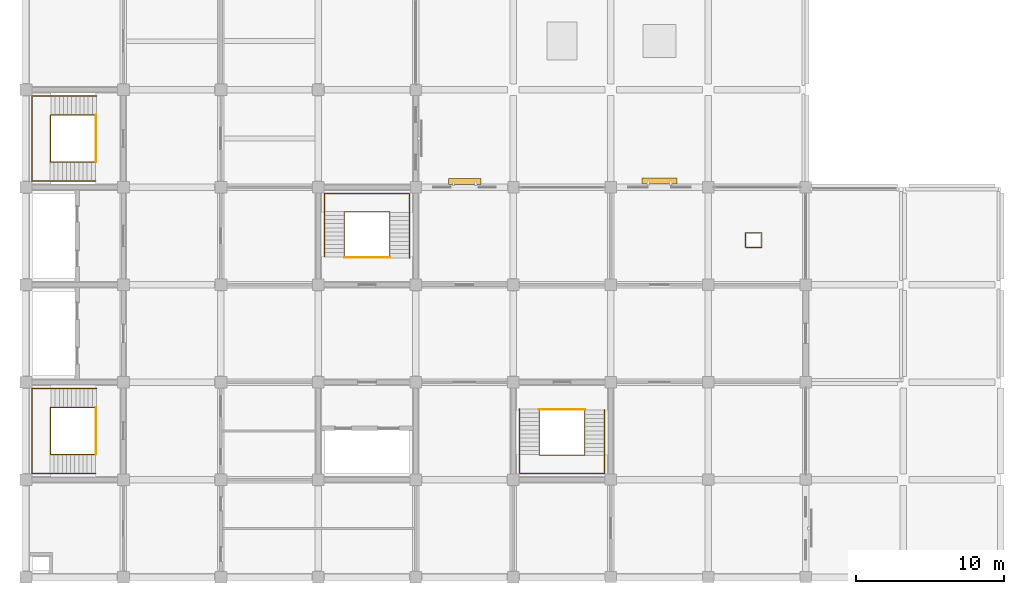
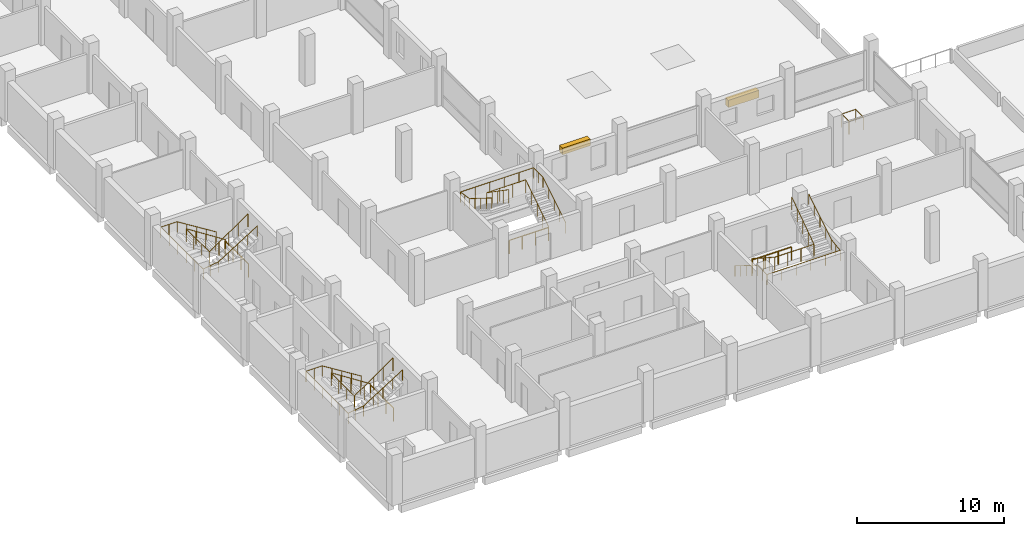
# One storey, part 22 of 23: 13 railings, 2 shading devices.
"""IFC4 building model written with IfcOpenShell, lengths in metres."""

from ifc_helpers import new_model, si_unit, direction, frame, origin, origin_2d, place, context, subcontext, project, spatial, rectangle, circle, extrude, material, type_object, element, save


model = new_model("IFC4")

# Units and contexts
model_context = context("Model", 3, precision=1e-05, world=origin(), true_north=direction((0.0, 1.0)))
body_context = subcontext(model_context, "Body", "Model", "MODEL_VIEW")
ifc_project = project(units=[si_unit("LENGTHUNIT", "METRE"), si_unit("AREAUNIT", "SQUARE_METRE"), si_unit("VOLUMEUNIT", "CUBIC_METRE"), si_unit("PLANEANGLEUNIT", "RADIAN"), si_unit("MASSUNIT", "GRAM", prefix="KILO")], contexts=[model_context])

# Site, building, storey
site_placement = place(None, origin())
site = spatial("IfcSite", under=ifc_project, at=site_placement, CompositionType="ELEMENT")
building_placement = place(site_placement, origin())
building = spatial("IfcBuilding", under=site, at=building_placement, Name="Rusizi Kubbe Research Institute", CompositionType="ELEMENT")
storey_placement = place(building_placement, frame((0.0, 0.0, 18.60009765625)))
storey = spatial("IfcBuildingStorey", under=building, at=storey_placement, Name="L04", CompositionType="ELEMENT", Elevation=18.60009765625)

# Railings
ifc_material_1 = material(Name="Painted Steel Stair Guard", Category="steel")
railing_type_1 = type_object("IfcRailingType", Name="GR-STAIR", PredefinedType="GUARDRAIL", material=ifc_material_1)
railing_1_placement = place(storey_placement, frame((4.780029296875, 11.489990234375, 0.08740234375)))
element("IfcRailing", 1, at=railing_1_placement, inside=storey, type_object=railing_type_1, Name="Stair Inner Well Guard ST1 L04", PredefinedType="GUARDRAIL", context=body_context, shape_type="SweptSolid", body=[
    extrude(circle(Radius=0.02392578125, at=origin_2d()), frame((0.0, 0.0, 1.09619140625), z_axis=(-0.840361383606, 0.0, 0.542026516828), x_axis=(0.0, -1.0, 0.0)), (0.0, 0.0, 1.0), 3.712890625),
    extrude(circle(Radius=0.02392578125, at=origin_2d()), frame((-3.1201171875, 0.0, 3.1083984375), z_axis=(0.0, -1.0, 0.0), x_axis=(1.0, 0.0, 0.0)), (0.0, 0.0, 1.0), 3.179931640625),
    extrude(circle(Radius=0.02392578125, at=origin_2d()), frame((-3.1201171875, -3.179931640625, 3.1083984375), z_axis=(0.82276741766, 0.0, 0.568378198419), x_axis=(0.0, 1.0, 0.0)), (0.0, 0.0, 1.0), 3.69482421875),
    extrude(circle(Radius=0.02099609375, at=origin_2d()), origin(), (0.0, 0.0, 1.0), 1.072021484375),
    extrude(circle(Radius=0.02099609375, at=origin_2d()), frame((-0.780029296875, 0.0, 0.503173828125)), (0.0, 0.0, 1.0), 1.072021484375),
    extrude(circle(Radius=0.02099609375, at=origin_2d()), frame((-1.56005859375, 0.0, 1.00634765625)), (0.0, 0.0, 1.0), 1.072021484375),
    extrude(circle(Radius=0.02099609375, at=origin_2d()), frame((-2.340087890625, 0.0, 1.50927734375)), (0.0, 0.0, 1.0), 1.072021484375),
    extrude(circle(Radius=0.02099609375, at=origin_2d()), frame((-3.1201171875, 0.0, 2.012451171875)), (0.0, 0.0, 1.0), 1.072021484375),
    extrude(circle(Radius=0.02099609375, at=origin_2d()), frame((-3.1201171875, -1.06005859375, 2.012451171875)), (0.0, 0.0, 1.0), 1.072021484375),
    extrude(circle(Radius=0.02099609375, at=origin_2d()), frame((-3.1201171875, -2.119873046875, 2.012451171875)), (0.0, 0.0, 1.0), 1.072021484375),
    extrude(circle(Radius=0.02099609375, at=origin_2d()), frame((-3.1201171875, -3.179931640625, 2.012451171875)), (0.0, 0.0, 1.0), 1.072021484375),
    extrude(circle(Radius=0.02099609375, at=origin_2d()), frame((-2.360107421875, -3.179931640625, 2.53759765625)), (0.0, 0.0, 1.0), 1.072021484375),
    extrude(circle(Radius=0.02099609375, at=origin_2d()), frame((-1.60009765625, -3.179931640625, 3.0625)), (0.0, 0.0, 1.0), 1.072021484375),
    extrude(circle(Radius=0.02099609375, at=origin_2d()), frame((-0.840087890625, -3.179931640625, 3.58740234375)), (0.0, 0.0, 1.0), 1.072021484375),
    extrude(circle(Radius=0.02099609375, at=origin_2d()), frame((-0.080078125, -3.179931640625, 4.112548828125)), (0.0, 0.0, 1.0), 1.072021484375),
])
railing_2_placement = place(storey_placement, frame((4.75, 11.489990234375, 0.0)))
element("IfcRailing", 2, at=railing_2_placement, inside=storey, type_object=railing_type_1, Name="Stair Floor Edge Guard ST1 L04", PredefinedType="GUARDRAIL", context=body_context, shape_type="SweptSolid", body=[
    extrude(circle(Radius=0.02392578125, at=origin_2d()), frame((0.0, 0.0, 1.09619140625), z_axis=(0.0, -1.0, 0.0), x_axis=(1.0, 0.0, 0.0)), (0.0, 0.0, 1.0), 3.179931640625),
    extrude(circle(Radius=0.02099609375, at=origin_2d()), origin(), (0.0, 0.0, 1.0), 1.072021484375),
    extrude(circle(Radius=0.02099609375, at=origin_2d()), frame((0.0, -1.06005859375, 0.0)), (0.0, 0.0, 1.0), 1.072021484375),
    extrude(circle(Radius=0.02099609375, at=origin_2d()), frame((0.0, -2.119873046875, 0.0)), (0.0, 0.0, 1.0), 1.072021484375),
    extrude(circle(Radius=0.02099609375, at=origin_2d()), frame((0.0, -3.179931640625, 0.0)), (0.0, 0.0, 1.0), 1.072021484375),
])
railing_3_placement = place(storey_placement, frame((4.780029296875, 31.2900390625, 0.08740234375)))
element("IfcRailing", 3, at=railing_3_placement, inside=storey, type_object=railing_type_1, Name="Stair Inner Well Guard ST2 L04", PredefinedType="GUARDRAIL", context=body_context, shape_type="SweptSolid", body=[
    extrude(circle(Radius=0.02392578125, at=origin_2d()), frame((0.0, 0.0, 1.09619140625), z_axis=(-0.840361383606, 0.0, 0.542026516828), x_axis=(0.0, -1.0, 0.0)), (0.0, 0.0, 1.0), 3.712890625),
    extrude(circle(Radius=0.02392578125, at=origin_2d()), frame((-3.1201171875, 0.0, 3.1083984375), z_axis=(0.0, -1.0, 0.0), x_axis=(1.0, 0.0, 0.0)), (0.0, 0.0, 1.0), 3.179931640625),
    extrude(circle(Radius=0.02392578125, at=origin_2d()), frame((-3.1201171875, -3.179931640625, 3.1083984375), z_axis=(0.82276741766, 0.0, 0.568378198419), x_axis=(0.0, 1.0, 0.0)), (0.0, 0.0, 1.0), 3.69482421875),
    extrude(circle(Radius=0.02099609375, at=origin_2d()), origin(), (0.0, 0.0, 1.0), 1.072021484375),
    extrude(circle(Radius=0.02099609375, at=origin_2d()), frame((-0.780029296875, 0.0, 0.503173828125)), (0.0, 0.0, 1.0), 1.072021484375),
    extrude(circle(Radius=0.02099609375, at=origin_2d()), frame((-1.56005859375, 0.0, 1.00634765625)), (0.0, 0.0, 1.0), 1.072021484375),
    extrude(circle(Radius=0.02099609375, at=origin_2d()), frame((-2.340087890625, 0.0, 1.50927734375)), (0.0, 0.0, 1.0), 1.072021484375),
    extrude(circle(Radius=0.02099609375, at=origin_2d()), frame((-3.1201171875, 0.0, 2.012451171875)), (0.0, 0.0, 1.0), 1.072021484375),
    extrude(circle(Radius=0.02099609375, at=origin_2d()), frame((-3.1201171875, -1.06005859375, 2.012451171875)), (0.0, 0.0, 1.0), 1.072021484375),
    extrude(circle(Radius=0.02099609375, at=origin_2d()), frame((-3.1201171875, -2.119873046875, 2.012451171875)), (0.0, 0.0, 1.0), 1.072021484375),
    extrude(circle(Radius=0.02099609375, at=origin_2d()), frame((-3.1201171875, -3.179931640625, 2.012451171875)), (0.0, 0.0, 1.0), 1.072021484375),
    extrude(circle(Radius=0.02099609375, at=origin_2d()), frame((-2.360107421875, -3.179931640625, 2.53759765625)), (0.0, 0.0, 1.0), 1.072021484375),
    extrude(circle(Radius=0.02099609375, at=origin_2d()), frame((-1.60009765625, -3.179931640625, 3.0625)), (0.0, 0.0, 1.0), 1.072021484375),
    extrude(circle(Radius=0.02099609375, at=origin_2d()), frame((-0.840087890625, -3.179931640625, 3.58740234375)), (0.0, 0.0, 1.0), 1.072021484375),
    extrude(circle(Radius=0.02099609375, at=origin_2d()), frame((-0.080078125, -3.179931640625, 4.112548828125)), (0.0, 0.0, 1.0), 1.072021484375),
])
railing_4_placement = place(storey_placement, frame((4.75, 31.2900390625, 0.0)))
element("IfcRailing", 4, at=railing_4_placement, inside=storey, type_object=railing_type_1, Name="Stair Floor Edge Guard ST2 L04", PredefinedType="GUARDRAIL", context=body_context, shape_type="SweptSolid", body=[
    extrude(circle(Radius=0.02392578125, at=origin_2d()), frame((0.0, 0.0, 1.09619140625), z_axis=(0.0, -1.0, 0.0), x_axis=(1.0, 0.0, 0.0)), (0.0, 0.0, 1.0), 3.179931640625),
    extrude(circle(Radius=0.02099609375, at=origin_2d()), origin(), (0.0, 0.0, 1.0), 1.072021484375),
    extrude(circle(Radius=0.02099609375, at=origin_2d()), frame((0.0, -1.06005859375, 0.0)), (0.0, 0.0, 1.0), 1.072021484375),
    extrude(circle(Radius=0.02099609375, at=origin_2d()), frame((0.0, -2.119873046875, 0.0)), (0.0, 0.0, 1.0), 1.072021484375),
    extrude(circle(Radius=0.02099609375, at=origin_2d()), frame((0.0, -3.179931640625, 0.0)), (0.0, 0.0, 1.0), 1.072021484375),
])
railing_5_placement = place(storey_placement, frame((24.639892578125, 21.6201171875, 0.08740234375)))
element("IfcRailing", 5, at=railing_5_placement, inside=storey, type_object=railing_type_1, Name="Stair Inner Well Guard ST3 L04", PredefinedType="GUARDRAIL", context=body_context, shape_type="SweptSolid", body=[
    extrude(circle(Radius=0.02392578125, at=origin_2d()), frame((0.0, 0.0, 1.09619140625), z_axis=(0.0, 0.840342063375, 0.542056469865), x_axis=(-1.0, 0.0, 0.0)), (0.0, 0.0, 1.0), 3.712646484375),
    extrude(circle(Radius=0.02392578125, at=origin_2d()), frame((0.0, 3.119873046875, 3.1083984375), z_axis=(-1.0, 0.0, 0.0), x_axis=(0.0, -1.0, 0.0)), (0.0, 0.0, 1.0), 3.079833984375),
    extrude(circle(Radius=0.02392578125, at=origin_2d()), frame((-3.079833984375, 3.119873046875, 3.1083984375), z_axis=(0.0, -0.82276741766, 0.568378198419), x_axis=(1.0, 0.0, 0.0)), (0.0, 0.0, 1.0), 3.69482421875),
    extrude(circle(Radius=0.02099609375, at=origin_2d()), origin(), (0.0, 0.0, 1.0), 1.072021484375),
    extrude(circle(Radius=0.02099609375, at=origin_2d()), frame((0.0, 0.780029296875, 0.503173828125)), (0.0, 0.0, 1.0), 1.072021484375),
    extrude(circle(Radius=0.02099609375, at=origin_2d()), frame((0.0, 1.56005859375, 1.00634765625)), (0.0, 0.0, 1.0), 1.072021484375),
    extrude(circle(Radius=0.02099609375, at=origin_2d()), frame((0.0, 2.33984375, 1.50927734375)), (0.0, 0.0, 1.0), 1.072021484375),
    extrude(circle(Radius=0.02099609375, at=origin_2d()), frame((0.0, 3.119873046875, 2.012451171875)), (0.0, 0.0, 1.0), 1.072021484375),
    extrude(circle(Radius=0.02099609375, at=origin_2d()), frame((-1.026611328125, 3.119873046875, 2.012451171875)), (0.0, 0.0, 1.0), 1.072021484375),
    extrude(circle(Radius=0.02099609375, at=origin_2d()), frame((-2.05322265625, 3.119873046875, 2.012451171875)), (0.0, 0.0, 1.0), 1.072021484375),
    extrude(circle(Radius=0.02099609375, at=origin_2d()), frame((-3.079833984375, 3.119873046875, 2.012451171875)), (0.0, 0.0, 1.0), 1.072021484375),
    extrude(circle(Radius=0.02099609375, at=origin_2d()), frame((-3.079833984375, 2.35986328125, 2.53759765625)), (0.0, 0.0, 1.0), 1.072021484375),
    extrude(circle(Radius=0.02099609375, at=origin_2d()), frame((-3.079833984375, 1.599853515625, 3.0625)), (0.0, 0.0, 1.0), 1.072021484375),
    extrude(circle(Radius=0.02099609375, at=origin_2d()), frame((-3.079833984375, 0.83984375, 3.58740234375)), (0.0, 0.0, 1.0), 1.072021484375),
    extrude(circle(Radius=0.02099609375, at=origin_2d()), frame((-3.079833984375, 0.079833984375, 4.112548828125)), (0.0, 0.0, 1.0), 1.072021484375),
])
railing_6_placement = place(storey_placement, frame((24.639892578125, 21.64990234375, 0.0)))
element("IfcRailing", 6, at=railing_6_placement, inside=storey, type_object=railing_type_1, Name="Stair Floor Edge Guard ST3 L04", PredefinedType="GUARDRAIL", context=body_context, shape_type="SweptSolid", body=[
    extrude(circle(Radius=0.02392578125, at=origin_2d()), frame((0.0, 0.0, 1.09619140625), z_axis=(-1.0, 0.0, 0.0), x_axis=(0.0, -1.0, 0.0)), (0.0, 0.0, 1.0), 3.079833984375),
    extrude(circle(Radius=0.02099609375, at=origin_2d()), origin(), (0.0, 0.0, 1.0), 1.072021484375),
    extrude(circle(Radius=0.02099609375, at=origin_2d()), frame((-1.026611328125, 0.0, 0.0)), (0.0, 0.0, 1.0), 1.072021484375),
    extrude(circle(Radius=0.02099609375, at=origin_2d()), frame((-2.05322265625, 0.0, 0.0)), (0.0, 0.0, 1.0), 1.072021484375),
    extrude(circle(Radius=0.02099609375, at=origin_2d()), frame((-3.079833984375, 0.0, 0.0)), (0.0, 0.0, 1.0), 1.072021484375),
])
railing_7_placement = place(storey_placement, frame((34.760009765625, 11.3798828125, 0.08740234375)))
element("IfcRailing", 7, at=railing_7_placement, inside=storey, type_object=railing_type_1, Name="Stair Inner Well Guard ST4 L04", PredefinedType="GUARDRAIL", context=body_context, shape_type="SweptSolid", body=[
    extrude(circle(Radius=0.02392578125, at=origin_2d()), frame((0.0, 0.0, 1.09619140625), z_axis=(0.0, -0.840342063375, 0.542056469865), x_axis=(1.0, 0.0, 0.0)), (0.0, 0.0, 1.0), 3.712646484375),
    extrude(circle(Radius=0.02392578125, at=origin_2d()), frame((0.0, -3.119873046875, 3.1083984375), z_axis=(1.0, 0.0, 0.0), x_axis=(0.0, 1.0, 0.0)), (0.0, 0.0, 1.0), 3.080078125),
    extrude(circle(Radius=0.02392578125, at=origin_2d()), frame((3.080078125, -3.119873046875, 3.1083984375), z_axis=(0.0, 0.82276741766, 0.568378198419), x_axis=(-1.0, 0.0, 0.0)), (0.0, 0.0, 1.0), 3.69482421875),
    extrude(circle(Radius=0.02099609375, at=origin_2d()), origin(), (0.0, 0.0, 1.0), 1.072021484375),
    extrude(circle(Radius=0.02099609375, at=origin_2d()), frame((0.0, -0.780029296875, 0.503173828125)), (0.0, 0.0, 1.0), 1.072021484375),
    extrude(circle(Radius=0.02099609375, at=origin_2d()), frame((0.0, -1.56005859375, 1.00634765625)), (0.0, 0.0, 1.0), 1.072021484375),
    extrude(circle(Radius=0.02099609375, at=origin_2d()), frame((0.0, -2.33984375, 1.50927734375)), (0.0, 0.0, 1.0), 1.072021484375),
    extrude(circle(Radius=0.02099609375, at=origin_2d()), frame((0.0, -3.119873046875, 2.012451171875)), (0.0, 0.0, 1.0), 1.072021484375),
    extrude(circle(Radius=0.02099609375, at=origin_2d()), frame((1.026611328125, -3.119873046875, 2.012451171875)), (0.0, 0.0, 1.0), 1.072021484375),
    extrude(circle(Radius=0.02099609375, at=origin_2d()), frame((2.053466796875, -3.119873046875, 2.012451171875)), (0.0, 0.0, 1.0), 1.072021484375),
    extrude(circle(Radius=0.02099609375, at=origin_2d()), frame((3.080078125, -3.119873046875, 2.012451171875)), (0.0, 0.0, 1.0), 1.072021484375),
    extrude(circle(Radius=0.02099609375, at=origin_2d()), frame((3.080078125, -2.35986328125, 2.53759765625)), (0.0, 0.0, 1.0), 1.072021484375),
    extrude(circle(Radius=0.02099609375, at=origin_2d()), frame((3.080078125, -1.599853515625, 3.0625)), (0.0, 0.0, 1.0), 1.072021484375),
    extrude(circle(Radius=0.02099609375, at=origin_2d()), frame((3.080078125, -0.83984375, 3.58740234375)), (0.0, 0.0, 1.0), 1.072021484375),
    extrude(circle(Radius=0.02099609375, at=origin_2d()), frame((3.080078125, -0.079833984375, 4.112548828125)), (0.0, 0.0, 1.0), 1.072021484375),
])
railing_8_placement = place(storey_placement, frame((34.760009765625, 11.35009765625, 0.0)))
element("IfcRailing", 8, at=railing_8_placement, inside=storey, type_object=railing_type_1, Name="Stair Floor Edge Guard ST4 L04", PredefinedType="GUARDRAIL", context=body_context, shape_type="SweptSolid", body=[
    extrude(circle(Radius=0.02392578125, at=origin_2d()), frame((0.0, 0.0, 1.09619140625), z_axis=(1.0, 0.0, 0.0), x_axis=(0.0, 1.0, 0.0)), (0.0, 0.0, 1.0), 3.080078125),
    extrude(circle(Radius=0.02099609375, at=origin_2d()), origin(), (0.0, 0.0, 1.0), 1.072021484375),
    extrude(circle(Radius=0.02099609375, at=origin_2d()), frame((1.026611328125, 0.0, 0.0)), (0.0, 0.0, 1.0), 1.072021484375),
    extrude(circle(Radius=0.02099609375, at=origin_2d()), frame((2.053466796875, 0.0, 0.0)), (0.0, 0.0, 1.0), 1.072021484375),
    extrude(circle(Radius=0.02099609375, at=origin_2d()), frame((3.080078125, 0.0, 0.0)), (0.0, 0.0, 1.0), 1.072021484375),
])
railing_9_placement = place(storey_placement, frame((48.719970703125, 22.320068359375, 0.0)))
element("IfcRailing", 9, at=railing_9_placement, inside=storey, type_object=railing_type_1, Name="Service Riser Guard L04 EAST", PredefinedType="GUARDRAIL", context=body_context, shape_type="SweptSolid", body=[
    extrude(circle(Radius=0.02392578125, at=origin_2d()), frame((0.0, 0.0, 1.09619140625), z_axis=(1.0, 0.0, 0.0), x_axis=(0.0, 1.0, 0.0)), (0.0, 0.0, 1.0), 1.110107421875),
    extrude(circle(Radius=0.02392578125, at=origin_2d()), frame((1.110107421875, 0.0, 1.09619140625), z_axis=(0.0, 1.0, 0.0), x_axis=(-1.0, 0.0, 0.0)), (0.0, 0.0, 1.0), 1.010009765625),
    extrude(circle(Radius=0.02392578125, at=origin_2d()), frame((1.110107421875, 1.010009765625, 1.09619140625), z_axis=(-1.0, 0.0, 0.0), x_axis=(0.0, -1.0, 0.0)), (0.0, 0.0, 1.0), 1.110107421875),
    extrude(circle(Radius=0.02392578125, at=origin_2d()), frame((0.0, 1.010009765625, 1.09619140625), z_axis=(0.0, -1.0, 0.0), x_axis=(1.0, 0.0, 0.0)), (0.0, 0.0, 1.0), 1.010009765625),
    extrude(circle(Radius=0.02099609375, at=origin_2d()), origin(), (0.0, 0.0, 1.0), 1.072021484375),
    extrude(circle(Radius=0.02099609375, at=origin_2d()), frame((1.110107421875, 0.0, 0.0)), (0.0, 0.0, 1.0), 1.072021484375),
    extrude(circle(Radius=0.02099609375, at=origin_2d()), frame((1.110107421875, 1.010009765625, 0.0)), (0.0, 0.0, 1.0), 1.072021484375),
    extrude(circle(Radius=0.02099609375, at=origin_2d()), frame((0.0, 1.010009765625, 0.0)), (0.0, 0.0, 1.0), 1.072021484375),
])
ifc_material_2 = material(Name="Brushed Stainless Steel Handrail", Category="steel")
railing_type_2 = type_object("IfcRailingType", Name="HR-STAIR", PredefinedType="HANDRAIL", material=ifc_material_2)
railing_10_placement = place(storey_placement, frame((4.780029296875, 12.780029296875, 0.1748046875)))
element("IfcRailing", 10, at=railing_10_placement, inside=storey, type_object=railing_type_2, Name="Stair Wall Handrail ST1 L04", PredefinedType="HANDRAIL", context=body_context, shape_type="SweptSolid", body=[
    extrude(circle(Radius=0.02392578125, at=origin_2d()), frame((0.0, 0.0, 0.8759765625), z_axis=(-0.847998304005, 0.0, 0.529998940003), x_axis=(0.0, -1.0, 0.0)), (0.0, 0.0, 1.0), 3.632080078125),
    extrude(circle(Radius=0.02392578125, at=origin_2d()), frame((-3.080078125, 0.0, 2.80078125), z_axis=(-1.0, 0.0, 0.0), x_axis=(0.0, -1.0, 0.0)), (0.0, 0.0, 1.0), 1.280029296875),
    extrude(circle(Radius=0.02392578125, at=origin_2d()), frame((-4.360107421875, 0.0, 2.80078125), z_axis=(0.0, -1.0, 0.0), x_axis=(1.0, 0.0, 0.0)), (0.0, 0.0, 1.0), 5.760009765625),
    extrude(circle(Radius=0.02392578125, at=origin_2d()), frame((-4.360107421875, -5.760009765625, 2.80078125), z_axis=(0.989630492691, 0.0, 0.143636652482), x_axis=(0.0, 1.0, 0.0)), (0.0, 0.0, 1.0), 1.21875),
    extrude(circle(Radius=0.02392578125, at=origin_2d()), frame((-3.154052734375, -5.760009765625, 2.97607421875), z_axis=(0.847525270172, 0.0, 0.530755043706), x_axis=(0.0, 1.0, 0.0)), (0.0, 0.0, 1.0), 3.626953125),
    extrude(circle(Radius=0.02099609375, at=origin_2d()), origin(), (0.0, 0.0, 1.0), 0.851806640625),
    extrude(circle(Radius=0.02099609375, at=origin_2d()), frame((-0.77001953125, 0.0, 0.481201171875)), (0.0, 0.0, 1.0), 0.851806640625),
    extrude(circle(Radius=0.02099609375, at=origin_2d()), frame((-1.5400390625, 0.0, 0.96240234375)), (0.0, 0.0, 1.0), 0.851806640625),
    extrude(circle(Radius=0.02099609375, at=origin_2d()), frame((-2.31005859375, 0.0, 1.44384765625)), (0.0, 0.0, 1.0), 0.851806640625),
    extrude(circle(Radius=0.02099609375, at=origin_2d()), frame((-3.080078125, 0.0, 1.925048828125)), (0.0, 0.0, 1.0), 0.851806640625),
    extrude(circle(Radius=0.02099609375, at=origin_2d()), frame((-3.72021484375, 0.0, 1.925048828125)), (0.0, 0.0, 1.0), 0.851806640625),
    extrude(circle(Radius=0.02099609375, at=origin_2d()), frame((-4.360107421875, 0.0, 1.925048828125)), (0.0, 0.0, 1.0), 0.851806640625),
    extrude(circle(Radius=0.02099609375, at=origin_2d()), frame((-4.360107421875, -1.152099609375, 1.925048828125)), (0.0, 0.0, 1.0), 0.851806640625),
    extrude(circle(Radius=0.02099609375, at=origin_2d()), frame((-4.360107421875, -2.303955078125, 1.925048828125)), (0.0, 0.0, 1.0), 0.851806640625),
    extrude(circle(Radius=0.02099609375, at=origin_2d()), frame((-4.360107421875, -3.4560546875, 1.925048828125)), (0.0, 0.0, 1.0), 0.851806640625),
    extrude(circle(Radius=0.02099609375, at=origin_2d()), frame((-4.360107421875, -4.60791015625, 1.925048828125)), (0.0, 0.0, 1.0), 0.851806640625),
    extrude(circle(Radius=0.02099609375, at=origin_2d()), frame((-4.360107421875, -5.760009765625, 1.925048828125)), (0.0, 0.0, 1.0), 0.851806640625),
    extrude(circle(Radius=0.02099609375, at=origin_2d()), frame((-3.757080078125, -5.760009765625, 2.0126953125)), (0.0, 0.0, 1.0), 0.851806640625),
    extrude(circle(Radius=0.02099609375, at=origin_2d()), frame((-3.154052734375, -5.760009765625, 2.10009765625)), (0.0, 0.0, 1.0), 0.851806640625),
    extrude(circle(Radius=0.02099609375, at=origin_2d()), frame((-2.385498046875, -5.760009765625, 2.581298828125)), (0.0, 0.0, 1.0), 0.851806640625),
    extrude(circle(Radius=0.02099609375, at=origin_2d()), frame((-1.6171875, -5.760009765625, 3.0625)), (0.0, 0.0, 1.0), 0.851806640625),
    extrude(circle(Radius=0.02099609375, at=origin_2d()), frame((-0.8486328125, -5.760009765625, 3.5439453125)), (0.0, 0.0, 1.0), 0.851806640625),
    extrude(circle(Radius=0.02099609375, at=origin_2d()), frame((-0.080078125, -5.760009765625, 4.025146484375)), (0.0, 0.0, 1.0), 0.851806640625),
])
railing_11_placement = place(storey_placement, frame((4.780029296875, 32.580078125, 0.1748046875)))
element("IfcRailing", 11, at=railing_11_placement, inside=storey, type_object=railing_type_2, Name="Stair Wall Handrail ST2 L04", PredefinedType="HANDRAIL", context=body_context, shape_type="SweptSolid", body=[
    extrude(circle(Radius=0.02392578125, at=origin_2d()), frame((0.0, 0.0, 0.8759765625), z_axis=(-0.847998304005, 0.0, 0.529998940003), x_axis=(0.0, -1.0, 0.0)), (0.0, 0.0, 1.0), 3.632080078125),
    extrude(circle(Radius=0.02392578125, at=origin_2d()), frame((-3.080078125, 0.0, 2.80078125), z_axis=(-1.0, 0.0, 0.0), x_axis=(0.0, -1.0, 0.0)), (0.0, 0.0, 1.0), 1.280029296875),
    extrude(circle(Radius=0.02392578125, at=origin_2d()), frame((-4.360107421875, 0.0, 2.80078125), z_axis=(0.0, -1.0, 0.0), x_axis=(1.0, 0.0, 0.0)), (0.0, 0.0, 1.0), 5.760009765625),
    extrude(circle(Radius=0.02392578125, at=origin_2d()), frame((-4.360107421875, -5.760009765625, 2.80078125), z_axis=(0.989630492691, 0.0, 0.143636652482), x_axis=(0.0, 1.0, 0.0)), (0.0, 0.0, 1.0), 1.21875),
    extrude(circle(Radius=0.02392578125, at=origin_2d()), frame((-3.154052734375, -5.760009765625, 2.97607421875), z_axis=(0.847525270172, 0.0, 0.530755043706), x_axis=(0.0, 1.0, 0.0)), (0.0, 0.0, 1.0), 3.626953125),
    extrude(circle(Radius=0.02099609375, at=origin_2d()), origin(), (0.0, 0.0, 1.0), 0.851806640625),
    extrude(circle(Radius=0.02099609375, at=origin_2d()), frame((-0.77001953125, 0.0, 0.481201171875)), (0.0, 0.0, 1.0), 0.851806640625),
    extrude(circle(Radius=0.02099609375, at=origin_2d()), frame((-1.5400390625, 0.0, 0.96240234375)), (0.0, 0.0, 1.0), 0.851806640625),
    extrude(circle(Radius=0.02099609375, at=origin_2d()), frame((-2.31005859375, 0.0, 1.44384765625)), (0.0, 0.0, 1.0), 0.851806640625),
    extrude(circle(Radius=0.02099609375, at=origin_2d()), frame((-3.080078125, 0.0, 1.925048828125)), (0.0, 0.0, 1.0), 0.851806640625),
    extrude(circle(Radius=0.02099609375, at=origin_2d()), frame((-3.72021484375, 0.0, 1.925048828125)), (0.0, 0.0, 1.0), 0.851806640625),
    extrude(circle(Radius=0.02099609375, at=origin_2d()), frame((-4.360107421875, 0.0, 1.925048828125)), (0.0, 0.0, 1.0), 0.851806640625),
    extrude(circle(Radius=0.02099609375, at=origin_2d()), frame((-4.360107421875, -1.152099609375, 1.925048828125)), (0.0, 0.0, 1.0), 0.851806640625),
    extrude(circle(Radius=0.02099609375, at=origin_2d()), frame((-4.360107421875, -2.303955078125, 1.925048828125)), (0.0, 0.0, 1.0), 0.851806640625),
    extrude(circle(Radius=0.02099609375, at=origin_2d()), frame((-4.360107421875, -3.4560546875, 1.925048828125)), (0.0, 0.0, 1.0), 0.851806640625),
    extrude(circle(Radius=0.02099609375, at=origin_2d()), frame((-4.360107421875, -4.60791015625, 1.925048828125)), (0.0, 0.0, 1.0), 0.851806640625),
    extrude(circle(Radius=0.02099609375, at=origin_2d()), frame((-4.360107421875, -5.760009765625, 1.925048828125)), (0.0, 0.0, 1.0), 0.851806640625),
    extrude(circle(Radius=0.02099609375, at=origin_2d()), frame((-3.757080078125, -5.760009765625, 2.0126953125)), (0.0, 0.0, 1.0), 0.851806640625),
    extrude(circle(Radius=0.02099609375, at=origin_2d()), frame((-3.154052734375, -5.760009765625, 2.10009765625)), (0.0, 0.0, 1.0), 0.851806640625),
    extrude(circle(Radius=0.02099609375, at=origin_2d()), frame((-2.385498046875, -5.760009765625, 2.581298828125)), (0.0, 0.0, 1.0), 0.851806640625),
    extrude(circle(Radius=0.02099609375, at=origin_2d()), frame((-1.6171875, -5.760009765625, 3.0625)), (0.0, 0.0, 1.0), 0.851806640625),
    extrude(circle(Radius=0.02099609375, at=origin_2d()), frame((-0.8486328125, -5.760009765625, 3.5439453125)), (0.0, 0.0, 1.0), 0.851806640625),
    extrude(circle(Radius=0.02099609375, at=origin_2d()), frame((-0.080078125, -5.760009765625, 4.025146484375)), (0.0, 0.0, 1.0), 0.851806640625),
])
railing_12_placement = place(storey_placement, frame((25.97998046875, 21.6201171875, 0.1748046875)))
element("IfcRailing", 12, at=railing_12_placement, inside=storey, type_object=railing_type_2, Name="Stair Wall Handrail ST3 L04", PredefinedType="HANDRAIL", context=body_context, shape_type="SweptSolid", body=[
    extrude(circle(Radius=0.02392578125, at=origin_2d()), frame((0.0, 0.0, 0.8759765625), z_axis=(0.0, 0.847979421464, 0.530029150871), x_axis=(-1.0, 0.0, 0.0)), (0.0, 0.0, 1.0), 3.632080078125),
    extrude(circle(Radius=0.02392578125, at=origin_2d()), frame((0.0, 3.079833984375, 2.80078125), z_axis=(0.0, 1.0, 0.0), x_axis=(-1.0, 0.0, 0.0)), (0.0, 0.0, 1.0), 1.280029296875),
    extrude(circle(Radius=0.02392578125, at=origin_2d()), frame((0.0, 4.35986328125, 2.80078125), z_axis=(-1.0, 0.0, 0.0), x_axis=(0.0, -1.0, 0.0)), (0.0, 0.0, 1.0), 5.760009765625),
    extrude(circle(Radius=0.02392578125, at=origin_2d()), frame((-5.760009765625, 4.35986328125, 2.80078125), z_axis=(0.0, -0.989630492691, 0.143636652482), x_axis=(1.0, 0.0, 0.0)), (0.0, 0.0, 1.0), 1.21875),
    extrude(circle(Radius=0.02392578125, at=origin_2d()), frame((-5.760009765625, 3.15380859375, 2.97607421875), z_axis=(0.0, -0.847525270172, 0.530755043706), x_axis=(1.0, 0.0, 0.0)), (0.0, 0.0, 1.0), 3.626953125),
    extrude(circle(Radius=0.02099609375, at=origin_2d()), origin(), (0.0, 0.0, 1.0), 0.851806640625),
    extrude(circle(Radius=0.02099609375, at=origin_2d()), frame((0.0, 0.77001953125, 0.481201171875)), (0.0, 0.0, 1.0), 0.851806640625),
    extrude(circle(Radius=0.02099609375, at=origin_2d()), frame((0.0, 1.5400390625, 0.96240234375)), (0.0, 0.0, 1.0), 0.851806640625),
    extrude(circle(Radius=0.02099609375, at=origin_2d()), frame((0.0, 2.309814453125, 1.44384765625)), (0.0, 0.0, 1.0), 0.851806640625),
    extrude(circle(Radius=0.02099609375, at=origin_2d()), frame((0.0, 3.079833984375, 1.925048828125)), (0.0, 0.0, 1.0), 0.851806640625),
    extrude(circle(Radius=0.02099609375, at=origin_2d()), frame((0.0, 3.7197265625, 1.925048828125)), (0.0, 0.0, 1.0), 0.851806640625),
    extrude(circle(Radius=0.02099609375, at=origin_2d()), frame((0.0, 4.35986328125, 1.925048828125)), (0.0, 0.0, 1.0), 0.851806640625),
    extrude(circle(Radius=0.02099609375, at=origin_2d()), frame((-1.152099609375, 4.35986328125, 1.925048828125)), (0.0, 0.0, 1.0), 0.851806640625),
    extrude(circle(Radius=0.02099609375, at=origin_2d()), frame((-2.303955078125, 4.35986328125, 1.925048828125)), (0.0, 0.0, 1.0), 0.851806640625),
    extrude(circle(Radius=0.02099609375, at=origin_2d()), frame((-3.4560546875, 4.35986328125, 1.925048828125)), (0.0, 0.0, 1.0), 0.851806640625),
    extrude(circle(Radius=0.02099609375, at=origin_2d()), frame((-4.60791015625, 4.35986328125, 1.925048828125)), (0.0, 0.0, 1.0), 0.851806640625),
    extrude(circle(Radius=0.02099609375, at=origin_2d()), frame((-5.760009765625, 4.35986328125, 1.925048828125)), (0.0, 0.0, 1.0), 0.851806640625),
    extrude(circle(Radius=0.02099609375, at=origin_2d()), frame((-5.760009765625, 3.7568359375, 2.0126953125)), (0.0, 0.0, 1.0), 0.851806640625),
    extrude(circle(Radius=0.02099609375, at=origin_2d()), frame((-5.760009765625, 3.15380859375, 2.10009765625)), (0.0, 0.0, 1.0), 0.851806640625),
    extrude(circle(Radius=0.02099609375, at=origin_2d()), frame((-5.760009765625, 2.38525390625, 2.581298828125)), (0.0, 0.0, 1.0), 0.851806640625),
    extrude(circle(Radius=0.02099609375, at=origin_2d()), frame((-5.760009765625, 1.61669921875, 3.0625)), (0.0, 0.0, 1.0), 0.851806640625),
    extrude(circle(Radius=0.02099609375, at=origin_2d()), frame((-5.760009765625, 0.848388671875, 3.5439453125)), (0.0, 0.0, 1.0), 0.851806640625),
    extrude(circle(Radius=0.02099609375, at=origin_2d()), frame((-5.760009765625, 0.079833984375, 4.025146484375)), (0.0, 0.0, 1.0), 0.851806640625),
])
railing_13_placement = place(storey_placement, frame((33.419921875, 11.3798828125, 0.1748046875)))
element("IfcRailing", 13, at=railing_13_placement, inside=storey, type_object=railing_type_2, Name="Stair Wall Handrail ST4 L04", PredefinedType="HANDRAIL", context=body_context, shape_type="SweptSolid", body=[
    extrude(circle(Radius=0.02392578125, at=origin_2d()), frame((0.0, 0.0, 0.8759765625), z_axis=(0.0, -0.847979421464, 0.530029150871), x_axis=(1.0, 0.0, 0.0)), (0.0, 0.0, 1.0), 3.632080078125),
    extrude(circle(Radius=0.02392578125, at=origin_2d()), frame((0.0, -3.079833984375, 2.80078125), z_axis=(0.0, -1.0, 0.0), x_axis=(1.0, 0.0, 0.0)), (0.0, 0.0, 1.0), 1.280029296875),
    extrude(circle(Radius=0.02392578125, at=origin_2d()), frame((0.0, -4.35986328125, 2.80078125), z_axis=(1.0, 0.0, 0.0), x_axis=(0.0, 1.0, 0.0)), (0.0, 0.0, 1.0), 5.760009765625),
    extrude(circle(Radius=0.02392578125, at=origin_2d()), frame((5.760009765625, -4.35986328125, 2.80078125), z_axis=(0.0, 0.989630492691, 0.143636652482), x_axis=(-1.0, 0.0, 0.0)), (0.0, 0.0, 1.0), 1.21875),
    extrude(circle(Radius=0.02392578125, at=origin_2d()), frame((5.760009765625, -3.15380859375, 2.97607421875), z_axis=(0.0, 0.847525270172, 0.530755043706), x_axis=(-1.0, 0.0, 0.0)), (0.0, 0.0, 1.0), 3.626953125),
    extrude(circle(Radius=0.02099609375, at=origin_2d()), origin(), (0.0, 0.0, 1.0), 0.851806640625),
    extrude(circle(Radius=0.02099609375, at=origin_2d()), frame((0.0, -0.77001953125, 0.481201171875)), (0.0, 0.0, 1.0), 0.851806640625),
    extrude(circle(Radius=0.02099609375, at=origin_2d()), frame((0.0, -1.5400390625, 0.96240234375)), (0.0, 0.0, 1.0), 0.851806640625),
    extrude(circle(Radius=0.02099609375, at=origin_2d()), frame((0.0, -2.309814453125, 1.44384765625)), (0.0, 0.0, 1.0), 0.851806640625),
    extrude(circle(Radius=0.02099609375, at=origin_2d()), frame((0.0, -3.079833984375, 1.925048828125)), (0.0, 0.0, 1.0), 0.851806640625),
    extrude(circle(Radius=0.02099609375, at=origin_2d()), frame((0.0, -3.7197265625, 1.925048828125)), (0.0, 0.0, 1.0), 0.851806640625),
    extrude(circle(Radius=0.02099609375, at=origin_2d()), frame((0.0, -4.35986328125, 1.925048828125)), (0.0, 0.0, 1.0), 0.851806640625),
    extrude(circle(Radius=0.02099609375, at=origin_2d()), frame((1.152099609375, -4.35986328125, 1.925048828125)), (0.0, 0.0, 1.0), 0.851806640625),
    extrude(circle(Radius=0.02099609375, at=origin_2d()), frame((2.303955078125, -4.35986328125, 1.925048828125)), (0.0, 0.0, 1.0), 0.851806640625),
    extrude(circle(Radius=0.02099609375, at=origin_2d()), frame((3.4560546875, -4.35986328125, 1.925048828125)), (0.0, 0.0, 1.0), 0.851806640625),
    extrude(circle(Radius=0.02099609375, at=origin_2d()), frame((4.60791015625, -4.35986328125, 1.925048828125)), (0.0, 0.0, 1.0), 0.851806640625),
    extrude(circle(Radius=0.02099609375, at=origin_2d()), frame((5.760009765625, -4.35986328125, 1.925048828125)), (0.0, 0.0, 1.0), 0.851806640625),
    extrude(circle(Radius=0.02099609375, at=origin_2d()), frame((5.760009765625, -3.7568359375, 2.0126953125)), (0.0, 0.0, 1.0), 0.851806640625),
    extrude(circle(Radius=0.02099609375, at=origin_2d()), frame((5.760009765625, -3.15380859375, 2.10009765625)), (0.0, 0.0, 1.0), 0.851806640625),
    extrude(circle(Radius=0.02099609375, at=origin_2d()), frame((5.760009765625, -2.38525390625, 2.581298828125)), (0.0, 0.0, 1.0), 0.851806640625),
    extrude(circle(Radius=0.02099609375, at=origin_2d()), frame((5.760009765625, -1.61669921875, 3.0625)), (0.0, 0.0, 1.0), 0.851806640625),
    extrude(circle(Radius=0.02099609375, at=origin_2d()), frame((5.760009765625, -0.848388671875, 3.5439453125)), (0.0, 0.0, 1.0), 0.851806640625),
    extrude(circle(Radius=0.02099609375, at=origin_2d()), frame((5.760009765625, -0.079833984375, 4.025146484375)), (0.0, 0.0, 1.0), 0.851806640625),
])

# Shading devices
ifc_material_3 = material(Name="Extruded Aluminium Solar Louver", Category="aluminium")
shading_device_type_1 = type_object("IfcShadingDeviceType", Name="SD-01", PredefinedType="SHUTTER", material=ifc_material_3)
shading_device_1_placement = place(storey_placement, frame((42.89990234375, 26.830078125, 2.08984375), z_axis=(0.0, 0.0, 1.0), x_axis=(1.0, 0.0, 0.0)))
element("IfcShadingDevice", 14, at=shading_device_1_placement, inside=storey, type_object=shading_device_type_1, Name="Solar Shading Louver SD-01-032", PredefinedType="SHUTTER", context=body_context, shape_type="SweptSolid", body=[
    extrude(rectangle(XDim=2.39990234375, YDim=0.419921875, at=origin_2d()), origin(), (0.0, 0.0, 1.0), 0.60009765625),
])
ifc_material_4 = material(Name="Extruded Aluminium Solar Louver", Category="aluminium")
shading_device_type_2 = type_object("IfcShadingDeviceType", Name="SD-04", PredefinedType="SHUTTER", material=ifc_material_4)
shading_device_2_placement = place(storey_placement, frame((29.699951171875, 26.782470703125, 2.77490234375), z_axis=(0.0, 0.0, 1.0), x_axis=(1.0, 0.0, 0.0)))
element("IfcShadingDevice", 15, at=shading_device_2_placement, inside=storey, type_object=shading_device_type_2, Name="Solar Shading Louver SD-04-031", PredefinedType="SHUTTER", context=body_context, shape_type="SweptSolid", body=[
    extrude(rectangle(XDim=2.199951171875, YDim=0.419921875, at=origin_2d()), origin(), (0.0, 0.0, 1.0), 0.550048828125),
])

save(model, "model.ifc")
